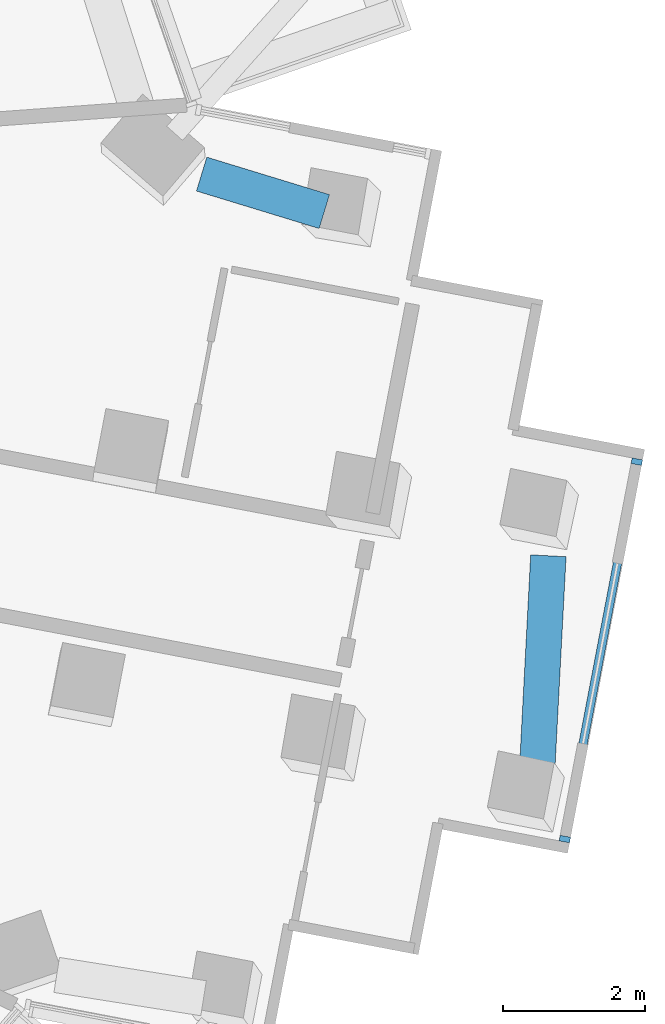
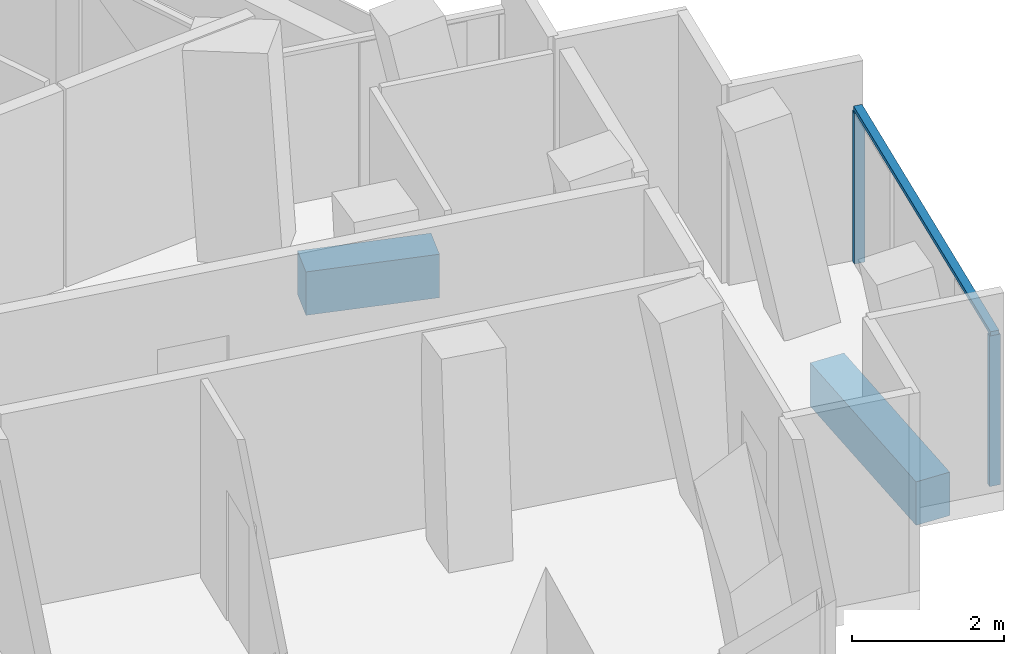
# One storey, part 6 of 23: 3 members, 2 beams, 1 element without a shape of its own.
"""IFC4 building model written with IfcOpenShell, lengths in metres."""

from ifc_helpers import new_model, si_unit, direction, frame, origin, origin_2d, place, context, subcontext, project, spatial, rectangle, extrude, material, layer, layer_set, material_profile, profile_set, type_object, element, aggregate, save


model = new_model("IFC4")

# Units and contexts
model_context = context("Model", 3, precision=1e-05, world=origin(), true_north=direction((0.0, 1.0)))
body_context = subcontext(model_context, "Body", "Model", "MODEL_VIEW")
ifc_project = project(units=[si_unit("LENGTHUNIT", "METRE"), si_unit("AREAUNIT", "SQUARE_METRE"), si_unit("VOLUMEUNIT", "CUBIC_METRE"), si_unit("PLANEANGLEUNIT", "RADIAN"), si_unit("MASSUNIT", "GRAM", prefix="KILO")], contexts=[model_context])

# Site, building, storey
site_placement = place(None, origin())
site = spatial("IfcSite", under=ifc_project, at=site_placement, CompositionType="ELEMENT")
building_placement = place(site_placement, origin())
building = spatial("IfcBuilding", under=site, at=building_placement, Name="Verdalira Terraces Hotel", CompositionType="ELEMENT")
storey_placement = place(building_placement, frame((0.0, 0.0, 111.5)))
storey = spatial("IfcBuildingStorey", under=building, at=storey_placement, Name="L26", CompositionType="ELEMENT", Elevation=111.5)

# Curtain wall, members
ifc_material_1 = material(Name="Clear glass", Category="glass")
ifc_layer = layer(ifc_material_1, 0.14990234375)
ifc_layer_set = layer_set([ifc_layer], Name="CW3 curtain wall")
curtain_wall_type = type_object("IfcCurtainWallType", Name="CW3 curtain wall", PredefinedType="NOTDEFINED", material=ifc_layer_set)
curtain_wall_placement = place(storey_placement, origin())
curtain_wall = element("IfcCurtainWall", 1, at=curtain_wall_placement, inside=storey, type_object=curtain_wall_type, Name="CW3 curtain wall L26 edge 33", PredefinedType="NOTDEFINED")
ifc_material_2 = material(Name="Terracotta frame", Category="masonry")
ifc_material_profile_1 = material_profile(ifc_material_2, rectangle(XDim=0.080078, YDim=0.149902, at=origin_2d()), Name="MU 80x150")
ifc_profile_set_1 = profile_set([ifc_material_profile_1], Name="Terracotta frame")
member_type_1 = type_object("IfcMemberType", Name="CW3 mullion 80x150", PredefinedType="MULLION", material=ifc_profile_set_1)
member_1_placement = place(storey_placement, frame((30.234131, -8.526367, 0.0), z_axis=(0.0, 0.0, 1.0), x_axis=(0.187381315, 0.982287251, 0.0)))
member_1 = element("IfcMember", 2, at=member_1_placement, type_object=member_type_1, Name="CW3 mullion", PredefinedType="MULLION", context=body_context, shape_type="SweptSolid", body=[
    extrude(rectangle(XDim=0.080078, YDim=0.149902, at=origin_2d()), origin(), (0.0, 0.0, 1.0), 2.425049),
])
member_2_placement = place(storey_placement, frame((31.249756, -3.202393, 0.0), z_axis=(0.0, 0.0, 1.0), x_axis=(0.187381315, 0.982287251, 0.0)))
member_2 = element("IfcMember", 3, at=member_2_placement, type_object=member_type_1, Name="CW3 mullion", PredefinedType="MULLION", context=body_context, shape_type="SweptSolid", body=[
    extrude(rectangle(XDim=0.080078, YDim=0.149902, at=origin_2d()), origin(), (0.0, 0.0, 1.0), 2.425049),
])
ifc_material_3 = material(Name="Terracotta frame", Category="masonry")
ifc_material_profile_2 = material_profile(ifc_material_3, rectangle(XDim=0.120117, YDim=0.064941, at=origin_2d()), Name="TR 65x120")
ifc_profile_set_2 = profile_set([ifc_material_profile_2], Name="Terracotta frame")
member_type_2 = type_object("IfcMemberType", Name="CW3 transom 65x120", PredefinedType="USERDEFINED", material=ifc_profile_set_2)
member_3_placement = place(storey_placement, frame((30.226562, -8.565674, 2.45752), z_axis=(0.187409903, 0.982281797, 0.0), x_axis=(-0.982281797, 0.187409903, 0.0)))
member_3 = element("IfcMember", 4, at=member_3_placement, type_object=member_type_2, Name="CW3 transom", ObjectType="TRANSOM", PredefinedType="USERDEFINED", context=body_context, shape_type="SweptSolid", body=[
    extrude(rectangle(XDim=0.120117, YDim=0.064941, at=origin_2d()), origin(), (0.0, 0.0, 1.0), 5.5),
])
aggregate(curtain_wall, [member_1, member_2, member_3])

# Beams
ifc_material_4 = material(Name="Concrete C70", Category="concrete")
ifc_material_profile_3 = material_profile(ifc_material_4, rectangle(XDim=0.5, YDim=0.699951, at=origin_2d()), Name="RC 500X700")
ifc_profile_set_3 = profile_set([ifc_material_profile_3], Name="Concrete C70")
beam_type = type_object("IfcBeamType", Name="Spandrel beam RC 500X700 C70", PredefinedType="SPANDREL", material=ifc_profile_set_3)
beam_1_placement = place(storey_placement, frame((29.840088, -7.601074, -0.659912), z_axis=(0.052546335, 0.998618487, 0.0), x_axis=(-0.998618487, 0.052546335, 0.0)))
element("IfcBeam", 5, at=beam_1_placement, inside=storey, type_object=beam_type, Name="Spandrel beam B22", PredefinedType="SPANDREL", context=body_context, shape_type="SweptSolid", body=[
    extrude(rectangle(XDim=0.5, YDim=0.699951, at=origin_2d()), origin(), (0.0, 0.0, 1.0), 3.075684),
])
beam_2_placement = place(storey_placement, frame((26.84082, 0.326172, -0.659912), z_axis=(-0.95636623, 0.292170558, 0.0), x_axis=(-0.292170558, -0.95636623, 0.0)))
element("IfcBeam", 6, at=beam_2_placement, inside=storey, type_object=beam_type, Name="Spandrel beam B23", PredefinedType="SPANDREL", context=body_context, shape_type="SweptSolid", body=[
    extrude(rectangle(XDim=0.5, YDim=0.699951, at=origin_2d()), origin(), (0.0, 0.0, 1.0), 1.809814),
])

save(model, "model.ifc")
